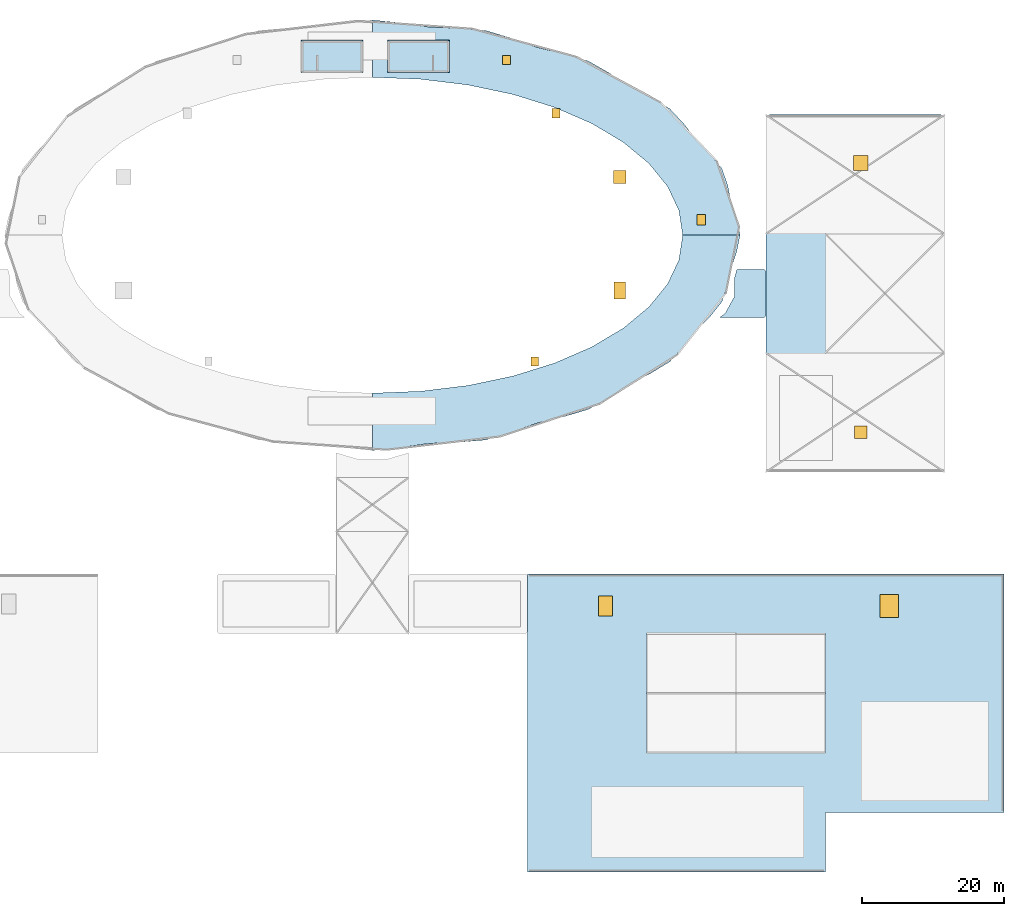
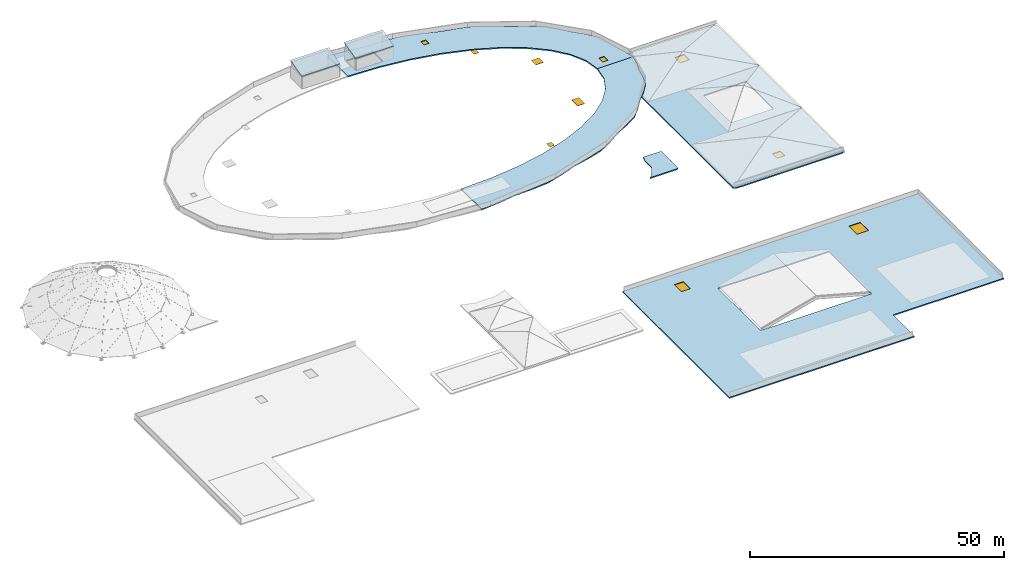
"""IFC4 building model written with IfcOpenShell, lengths in metres."""

from ifc_helpers import new_model, si_unit, direction, frame, origin, origin_2d, place, context, subcontext, project, spatial, polyline, rectangle, outline, extrude, material, layer, layer_set, type_object, element, fill, save


model = new_model("IFC4")

# Units and contexts
model_context = context("Model", 3, precision=1e-05, world=origin(), true_north=direction((0.0, 1.0)))
body_context = subcontext(model_context, "Body", "Model", "MODEL_VIEW")
ifc_project = project(units=[si_unit("LENGTHUNIT", "METRE"), si_unit("AREAUNIT", "SQUARE_METRE"), si_unit("VOLUMEUNIT", "CUBIC_METRE"), si_unit("PLANEANGLEUNIT", "RADIAN"), si_unit("MASSUNIT", "GRAM", prefix="KILO"), si_unit("THERMODYNAMICTEMPERATUREUNIT", "KELVIN"), si_unit("POWERUNIT", "WATT")], contexts=[model_context])

# Site, building, storey
site_placement = place(None, origin())
site = spatial("IfcSite", under=ifc_project, at=site_placement, CompositionType="ELEMENT")
building_placement = place(site_placement, origin())
building = spatial("IfcBuilding", under=site, at=building_placement, Name="Darbajah Civic Hall", CompositionType="ELEMENT")
storey_1_placement = place(building_placement, frame((0.0, 0.0, 30.60009765625)))
storey_1 = spatial("IfcBuildingStorey", under=building, at=storey_1_placement, Name="ROOF", CompositionType="ELEMENT", Elevation=30.60009765625)

# Slabs
ifc_material_1 = material(Name="Concrete C45/55", Category="concrete")
ifc_layer_1 = layer(ifc_material_1, 0.280029296875, Name="Concrete C45/55")
ifc_layer_set_1 = layer_set([ifc_layer_1], Name="Concrete C45/55")
slab_type_1 = type_object("IfcSlabType", Name="Chhatri Headhouse Roof Slab 280mm", PredefinedType="ROOF", material=ifc_layer_set_1)
for number, where, z_axis, x_axis, name in (
    (1, (79.050048828125, 112.75, 3.099853515625), (0.0, -0.241544495899, 0.970389744639), (1.0, 0.0, 0.0), "ROOF stair ST01 sloped chhatri roof slab"),
    (2, (91.25, 112.75, 3.099853515625), (0.0, -0.241544495899, 0.970389744639), (1.0, 0.0, 0.0), "ROOF stair ST02 sloped chhatri roof slab"),
):
    element("IfcSlab", number, at=place(storey_1_placement, frame(where, z_axis=z_axis, x_axis=x_axis)), inside=storey_1, type_object=slab_type_1, Name=name, PredefinedType="ROOF", context=body_context, shape_type="SweptSolid", body=[
        extrude(outline(polyline([(0.0, 0.0), (8.699951171875, 0.0), (8.699951171875, 4.637311992278815), (0.0, 4.637311992278815), (0.0, 0.0)])), origin(), (0.0, 0.0, -1.0), 0.280029296875),
    ])

# Slab, openings
ifc_layer_2 = layer(ifc_material_1, 0.27001953125, Name="Concrete C45/55")
ifc_layer_set_2 = layer_set([ifc_layer_2], Name="Concrete C45/55")
slab_type_2 = type_object("IfcSlabType", Name="Library Roof Slab 270mm", PredefinedType="ROOF", material=ifc_layer_set_2)
slab_1_placement = place(storey_1_placement, frame((0.0, 0.0, -12.8701171875)))
slab_1 = element("IfcSlab", 3, at=slab_1_placement, inside=storey_1, type_object=slab_type_2, Name="Members Library perimeter roof slab", PredefinedType="ROOF", context=body_context, shape_type="SweptSolid", body=[
    extrude(outline(polyline([(145.10009765625, 56.39990234375), (169.300048828125, 56.39990234375), (169.800048828125, 56.89990234375), (169.800048828125, 106.300048828125), (169.300048828125, 106.800048828125), (145.10009765625, 106.800048828125), (144.60009765625, 106.300048828125), (144.60009765625, 56.89990234375), (145.10009765625, 56.39990234375)]), holes=[polyline([(155.39990234375, 87.0), (165.0, 87.0), (165.0, 76.199951171875), (155.39990234375, 76.199951171875), (155.39990234375, 87.0)])]), origin(), (0.0, 0.0, 1.0), 0.27001953125),
])
opening_1_placement = place(slab_1_placement, frame((158.0, 62.0, 0.0)))
opening_1 = element("IfcOpeningElement", 4, at=opening_1_placement, cuts=slab_1, Name="Opening SK-01", PredefinedType="OPENING", context=body_context, shape_type="SweptSolid", body=[
    extrude(rectangle(XDim=1.800048828125, YDim=1.800048828125, at=origin_2d()), frame((0.0, 0.0, -0.010009765625)), (0.0, 0.0, 1.0), 0.2900390625),
])
opening_2_placement = place(slab_1_placement, frame((158.0, 100.0, 0.0)))
opening_2 = element("IfcOpeningElement", 5, at=opening_2_placement, cuts=slab_1, Name="Opening SK-02", PredefinedType="OPENING", context=body_context, shape_type="SweptSolid", body=[
    extrude(rectangle(XDim=2.10009765625, YDim=2.10009765625, at=origin_2d()), frame((0.0, 0.0, -0.010009765625)), (0.0, 0.0, 1.0), 0.2900390625),
])

# Storey
storey_2_placement = place(building_placement, frame((0.0, 0.0, 13.800048828125)))
storey_2 = spatial("IfcBuildingStorey", under=building, at=storey_2_placement, Name="L03", CompositionType="ELEMENT", Elevation=13.800048828125)

# Window
ifc_material_2 = material(Name="Low-E Laminated Solar Skylight Glazing", Category="glass")
window_type_1 = type_object("IfcWindowType", Name="Roof Skylight 1800x1800", PartitioningType="SINGLE_PANEL", PredefinedType="SKYLIGHT", material=ifc_material_2)
window_1_placement = place(opening_1_placement, frame((0.0, 0.0, 0.10986328125)))
window_1 = element("IfcWindow", 6, at=window_1_placement, inside=storey_2, type_object=window_type_1, Name="L03 clerestory skylight SK-01", OverallHeight=1.800048828125, OverallWidth=1.800048828125, PartitioningType="SINGLE_PANEL", PredefinedType="SKYLIGHT", context=body_context, shape_type="SweptSolid", body=[
    extrude(rectangle(XDim=1.800048828125, YDim=1.800048828125, at=origin_2d()), origin(), (0.0, 0.0, 1.0), 0.050048828125),
])

fill(opening_1, window_1)

window_type_2 = type_object("IfcWindowType", Name="Roof Skylight 2100x2100", PartitioningType="SINGLE_PANEL", PredefinedType="SKYLIGHT", material=ifc_material_2)
window_2_placement = place(opening_2_placement, frame((0.0, 0.0, 0.10986328125)))
window_2 = element("IfcWindow", 7, at=window_2_placement, inside=storey_2, type_object=window_type_2, Name="L03 clerestory skylight SK-02", OverallHeight=2.10009765625, OverallWidth=2.10009765625, PartitioningType="SINGLE_PANEL", PredefinedType="SKYLIGHT", context=body_context, shape_type="SweptSolid", body=[
    extrude(rectangle(XDim=2.10009765625, YDim=2.10009765625, at=origin_2d()), origin(), (0.0, 0.0, 1.0), 0.050048828125),
])

fill(opening_2, window_2)

# Slab
ifc_layer_3 = layer(ifc_material_1, 0.27001953125, Name="Concrete C45/55")
ifc_layer_set_3 = layer_set([ifc_layer_3], Name="Concrete C45/55")
slab_type_3 = type_object("IfcSlabType", Name="Link Walk Roof Slab 270mm", PredefinedType="ROOF", material=ifc_layer_set_3)
slab_2_placement = place(storey_1_placement, frame((0.0, 0.0, -21.27001953125)))
element("IfcSlab", 8, at=slab_2_placement, inside=storey_1, type_object=slab_type_3, Name="ROOF Screened Link Walk E roof slab", PredefinedType="ROOF", context=body_context, shape_type="SweptSolid", body=[
    extrude(outline(polyline([(144.35009765625, 85.0), (144.60009765625, 84.75), (144.60009765625, 78.449951171875), (144.35009765625, 78.199951171875), (138.10009765625, 78.199951171875), (138.8193359375, 78.736572265625), (138.84228515625, 78.755615234375), (138.86328125, 78.777099609375), (138.881591796875, 78.80078125), (138.8974609375, 78.826416015625), (140.178955078125, 81.164794921875), (140.191162109375, 81.190185546875), (140.200927734375, 81.216796875), (140.2080078125, 81.244140625), (140.2119140625, 81.27197265625), (140.21337890625, 81.300048828125), (140.2080078125, 83.847412109375), (140.52001953125, 85.0), (144.35009765625, 85.0)])), origin(), (0.0, 0.0, 1.0), 0.27001953125),
])

# Slab, openings, doors
ifc_layer_4 = layer(ifc_material_1, 0.280029296875, Name="Concrete C45/55")
ifc_layer_set_4 = layer_set([ifc_layer_4], Name="Concrete C45/55")
slab_type_4 = type_object("IfcSlabType", Name="Oval Ring Roof Slab 280mm", PredefinedType="ROOF", material=ifc_layer_set_4)
slab_3_placement = place(storey_1_placement, frame((0.0, 0.0, -0.280029296875)))
slab_3 = element("IfcSlab", 9, at=slab_3_placement, inside=storey_1, type_object=slab_type_4, Name="ROOF Oval Administration Ring NE roof slab", PredefinedType="ROOF", context=body_context, shape_type="SweptSolid", body=[
    extrude(outline(polyline([(140.9619140625, 89.800048828125), (140.4912109375, 92.15771484375), (139.707275390625, 94.451904296875), (139.2255859375, 96.81494140625), (138.423583984375, 99.182373046875), (136.72607421875, 101.299560546875), (134.75341796875, 103.30078125), (133.0537109375, 105.501220703125), (131.05712890625, 107.646240234375), (128.298828125, 109.31591796875), (125.330810546875, 110.827880859375), (122.5791015625, 112.650146484375), (119.583740234375, 114.36328125), (116.034912109375, 115.421875), (112.361572265625, 116.296875), (108.827392578125, 117.5625), (105.126220703125, 118.676025390625), (101.134033203125, 119.019775390625), (97.115478515625, 119.171875), (93.14453125, 119.75732421875), (89.10009765625, 120.162109375), (89.10009765625, 112.080078125), (95.94873046875, 111.8056640625), (102.62890625, 110.989501953125), (108.9755859375, 109.651611328125), (114.833251953125, 107.824951171875), (120.05712890625, 105.55419921875), (124.518798828125, 102.89599609375), (128.1083984375, 99.914794921875), (130.7373046875, 96.684814453125), (132.341064453125, 93.285400390625), (132.8798828125, 89.800048828125), (140.9619140625, 89.800048828125)]), holes=[polyline([(91.5400390625, 116.8798828125), (97.6201171875, 116.8798828125), (97.6201171875, 113.1201171875), (91.5400390625, 113.1201171875), (91.5400390625, 116.8798828125)])]), origin(), (0.0, 0.0, 1.0), 0.280029296875),
])
opening_3_placement = place(slab_3_placement, frame((115.0, 107.0, 0.0)))
opening_3 = element("IfcOpeningElement", 10, at=opening_3_placement, cuts=slab_3, Name="Opening RH-021", PredefinedType="OPENING", context=body_context, shape_type="SweptSolid", body=[
    extrude(rectangle(XDim=1.10009765625, YDim=1.300048828125, at=origin_2d()), frame((0.0, 0.0, -0.010009765625)), (0.0, 0.0, 1.0), 0.300048828125),
])
opening_4_placement = place(slab_3_placement, frame((108.0, 114.5, 0.0)))
opening_4 = element("IfcOpeningElement", 11, at=opening_4_placement, cuts=slab_3, Name="Opening RH-024", PredefinedType="OPENING", context=body_context, shape_type="SweptSolid", body=[
    extrude(rectangle(XDim=1.10009765625, YDim=1.300048828125, at=origin_2d()), frame((0.0, 0.0, -0.010009765625)), (0.0, 0.0, 1.0), 0.300048828125),
])
opening_5_placement = place(slab_3_placement, frame((135.5, 92.0, 0.0)))
opening_5 = element("IfcOpeningElement", 12, at=opening_5_placement, cuts=slab_3, Name="Opening RH-027", PredefinedType="OPENING", context=body_context, shape_type="SweptSolid", body=[
    extrude(rectangle(XDim=1.199951171875, YDim=1.5, at=origin_2d()), frame((0.0, 0.0, -0.010009765625)), (0.0, 0.0, 1.0), 0.300048828125),
])
opening_6_placement = place(slab_3_placement, frame((124.0, 98.0, 0.0)))
opening_6 = element("IfcOpeningElement", 13, at=opening_6_placement, cuts=slab_3, Name="Opening SK-01", PredefinedType="OPENING", context=body_context, shape_type="SweptSolid", body=[
    extrude(rectangle(XDim=1.800048828125, YDim=1.800048828125, at=origin_2d()), frame((0.0, 0.0, -0.010009765625)), (0.0, 0.0, 1.0), 0.300048828125),
])
ifc_material_3 = material(Name="Galvanised Insulated Steel", Category="steel")
door_type_1 = type_object("IfcDoorType", Name="Exterior Trapdoor 1100x1300", OperationType="NOTDEFINED", PredefinedType="TRAPDOOR", material=ifc_material_3)
door_1_placement = place(opening_3_placement, frame((0.0, 0.0, 0.114990234375)))
door_1 = element("IfcDoor", 14, at=door_1_placement, inside=storey_1, type_object=door_type_1, Name="Roof maintenance access trapdoor RH-021", OperationType="SINGLE_SWING_LEFT", OverallHeight=1.300048828125, OverallWidth=1.10009765625, PredefinedType="TRAPDOOR", context=body_context, shape_type="SweptSolid", body=[
    extrude(rectangle(XDim=1.10009765625, YDim=1.300048828125, at=origin_2d()), origin(), (0.0, 0.0, 1.0), 0.050048828125),
])
fill(opening_3, door_1)
door_2_placement = place(opening_4_placement, frame((0.0, 0.0, 0.114990234375)))
door_2 = element("IfcDoor", 15, at=door_2_placement, inside=storey_1, type_object=door_type_1, Name="Roof maintenance access trapdoor RH-024", OperationType="SINGLE_SWING_LEFT", OverallHeight=1.300048828125, OverallWidth=1.10009765625, PredefinedType="TRAPDOOR", context=body_context, shape_type="SweptSolid", body=[
    extrude(rectangle(XDim=1.10009765625, YDim=1.300048828125, at=origin_2d()), origin(), (0.0, 0.0, 1.0), 0.050048828125),
])
fill(opening_4, door_2)
door_type_2 = type_object("IfcDoorType", Name="Exterior Trapdoor 1200x1500", OperationType="NOTDEFINED", PredefinedType="TRAPDOOR", material=ifc_material_3)
door_3_placement = place(opening_5_placement, frame((0.0, 0.0, 0.114990234375)))
door_3 = element("IfcDoor", 16, at=door_3_placement, inside=storey_1, type_object=door_type_2, Name="Roof maintenance access trapdoor RH-027", OperationType="SINGLE_SWING_LEFT", OverallHeight=1.5, OverallWidth=1.199951171875, PredefinedType="TRAPDOOR", context=body_context, shape_type="SweptSolid", body=[
    extrude(rectangle(XDim=1.199951171875, YDim=1.5, at=origin_2d()), origin(), (0.0, 0.0, 1.0), 0.050048828125),
])
fill(opening_5, door_3)

# Storey
storey_3_placement = place(building_placement, frame((0.0, 0.0, 26.39990234375)))
storey_3 = spatial("IfcBuildingStorey", under=building, at=storey_3_placement, Name="L06", CompositionType="ELEMENT", Elevation=26.39990234375)

# Window
window_3_placement = place(opening_6_placement, frame((0.0, 0.0, 0.114990234375)))
window_3 = element("IfcWindow", 17, at=window_3_placement, inside=storey_3, type_object=window_type_1, Name="L06 clerestory skylight SK-01", OverallHeight=1.800048828125, OverallWidth=1.800048828125, PartitioningType="SINGLE_PANEL", PredefinedType="SKYLIGHT", context=body_context, shape_type="SweptSolid", body=[
    extrude(rectangle(XDim=1.800048828125, YDim=1.800048828125, at=origin_2d()), origin(), (0.0, 0.0, 1.0), 0.050048828125),
])

fill(opening_6, window_3)

# Slab, openings, door, window
slab_4_placement = place(storey_1_placement, frame((0.0, 0.0, -0.280029296875)))
slab_4 = element("IfcSlab", 18, at=slab_4_placement, inside=storey_1, type_object=slab_type_4, Name="ROOF Oval Administration Ring SE roof slab", PredefinedType="ROOF", context=body_context, shape_type="SweptSolid", body=[
    extrude(outline(polyline([(89.10009765625, 59.43798828125), (93.14453125, 59.842529296875), (97.115478515625, 60.427978515625), (101.134033203125, 60.580322265625), (105.126220703125, 60.924072265625), (108.827392578125, 62.037353515625), (112.361572265625, 63.30322265625), (116.034912109375, 64.17822265625), (119.583740234375, 65.236572265625), (122.5791015625, 66.94970703125), (125.330810546875, 68.772216796875), (128.298828125, 70.2841796875), (131.05712890625, 71.95361328125), (133.0537109375, 74.098876953125), (134.75341796875, 76.29931640625), (136.72607421875, 78.30029296875), (138.423583984375, 80.41748046875), (139.2255859375, 82.784912109375), (139.707275390625, 85.14794921875), (140.4912109375, 87.4423828125), (140.9619140625, 89.800048828125), (132.8798828125, 89.800048828125), (132.341064453125, 86.314697265625), (130.7373046875, 82.9150390625), (128.1083984375, 79.68505859375), (124.518798828125, 76.7041015625), (120.05712890625, 74.045654296875), (114.833251953125, 71.775146484375), (108.9755859375, 69.948486328125), (102.62890625, 68.610595703125), (95.94873046875, 67.794189453125), (89.10009765625, 67.52001953125), (89.10009765625, 59.43798828125)])), origin(), (0.0, 0.0, 1.0), 0.280029296875),
])
opening_7_placement = place(slab_4_placement, frame((112.0, 72.0, 0.0)))
opening_7 = element("IfcOpeningElement", 19, at=opening_7_placement, cuts=slab_4, Name="Opening RH-026", PredefinedType="OPENING", context=body_context, shape_type="SweptSolid", body=[
    extrude(rectangle(XDim=1.10009765625, YDim=1.300048828125, at=origin_2d()), frame((0.0, 0.0, -0.010009765625)), (0.0, 0.0, 1.0), 0.300048828125),
])
opening_8_placement = place(slab_4_placement, frame((124.0, 82.0, 0.0)))
opening_8 = element("IfcOpeningElement", 20, at=opening_8_placement, cuts=slab_4, Name="Opening SK-04", PredefinedType="OPENING", context=body_context, shape_type="SweptSolid", body=[
    extrude(rectangle(XDim=1.60009765625, YDim=2.39990234375, at=origin_2d()), frame((0.0, 0.0, -0.010009765625)), (0.0, 0.0, 1.0), 0.300048828125),
])
door_4_placement = place(opening_7_placement, frame((0.0, 0.0, 0.114990234375)))
door_4 = element("IfcDoor", 21, at=door_4_placement, inside=storey_1, type_object=door_type_1, Name="Roof maintenance access trapdoor RH-026", OperationType="SINGLE_SWING_LEFT", OverallHeight=1.300048828125, OverallWidth=1.10009765625, PredefinedType="TRAPDOOR", context=body_context, shape_type="SweptSolid", body=[
    extrude(rectangle(XDim=1.10009765625, YDim=1.300048828125, at=origin_2d()), origin(), (0.0, 0.0, 1.0), 0.050048828125),
])
fill(opening_7, door_4)
window_type_3 = type_object("IfcWindowType", Name="Roof Skylight 1600x2400", PartitioningType="SINGLE_PANEL", PredefinedType="SKYLIGHT", material=ifc_material_2)
window_4_placement = place(opening_8_placement, frame((0.0, 0.0, 0.114990234375)))
window_4 = element("IfcWindow", 22, at=window_4_placement, inside=storey_3, type_object=window_type_3, Name="L06 clerestory skylight SK-04", OverallHeight=2.39990234375, OverallWidth=1.60009765625, PartitioningType="SINGLE_PANEL", PredefinedType="SKYLIGHT", context=body_context, shape_type="SweptSolid", body=[
    extrude(rectangle(XDim=1.60009765625, YDim=2.39990234375, at=origin_2d()), origin(), (0.0, 0.0, 1.0), 0.050048828125),
])
fill(opening_8, window_4)

# Slab, openings
ifc_layer_5 = layer(ifc_material_1, 0.280029296875, Name="Concrete C45/55")
ifc_layer_set_5 = layer_set([ifc_layer_5], Name="Concrete C45/55")
slab_type_5 = type_object("IfcSlabType", Name="Public Hall Roof Slab 280mm", PredefinedType="ROOF", material=ifc_layer_set_5)
slab_5_placement = place(storey_1_placement, frame((0.0, 0.0, -17.080078125)))
slab_5 = element("IfcSlab", 23, at=slab_5_placement, inside=storey_1, type_object=slab_type_5, Name="Public Hall wing perimeter roof slab", PredefinedType="ROOF", context=body_context, shape_type="SweptSolid", body=[
    extrude(outline(polyline([(111.0, 0.0), (153.0, 0.0), (153.0, 8.39990234375), (178.199951171875, 8.39990234375), (178.199951171875, 42.0), (111.0, 42.0), (111.0, 0.0)]), holes=[polyline([(127.800048828125, 33.60009765625), (153.0, 33.60009765625), (153.0, 16.800048828125), (127.800048828125, 16.800048828125), (127.800048828125, 33.60009765625)])]), origin(), (0.0, 0.0, 1.0), 0.280029296875),
])
opening_9_placement = place(slab_5_placement, frame((122.0, 37.5, 0.0)))
opening_9 = element("IfcOpeningElement", 24, at=opening_9_placement, cuts=slab_5, Name="Opening SK-05", PredefinedType="OPENING", context=body_context, shape_type="SweptSolid", body=[
    extrude(rectangle(XDim=2.0, YDim=2.800048828125, at=origin_2d()), frame((0.0, 0.0, -0.010009765625)), (0.0, 0.0, 1.0), 0.300048828125),
])
opening_10_placement = place(slab_5_placement, frame((162.0, 37.5, 0.0)))
opening_10 = element("IfcOpeningElement", 25, at=opening_10_placement, cuts=slab_5, Name="Opening SK-06", PredefinedType="OPENING", context=body_context, shape_type="SweptSolid", body=[
    extrude(rectangle(XDim=2.60009765625, YDim=3.199951171875, at=origin_2d()), frame((0.0, 0.0, -0.010009765625)), (0.0, 0.0, 1.0), 0.300048828125),
])

# Storey
storey_4_placement = place(building_placement, frame((0.0, 0.0, 9.60009765625)))
storey_4 = spatial("IfcBuildingStorey", under=building, at=storey_4_placement, Name="L02", CompositionType="ELEMENT", Elevation=9.60009765625)

# Window
window_type_4 = type_object("IfcWindowType", Name="Roof Skylight 2000x2800", PartitioningType="SINGLE_PANEL", PredefinedType="SKYLIGHT", material=ifc_material_2)
window_5_placement = place(opening_9_placement, frame((0.0, 0.0, 0.114990234375)))
window_5 = element("IfcWindow", 26, at=window_5_placement, inside=storey_4, type_object=window_type_4, Name="L02 clerestory skylight SK-05", OverallHeight=2.800048828125, OverallWidth=2.0, PartitioningType="SINGLE_PANEL", PredefinedType="SKYLIGHT", context=body_context, shape_type="SweptSolid", body=[
    extrude(rectangle(XDim=2.0, YDim=2.800048828125, at=origin_2d()), origin(), (0.0, 0.0, 1.0), 0.050048828125),
])

fill(opening_9, window_5)

window_type_5 = type_object("IfcWindowType", Name="Roof Skylight 2600x3200", PartitioningType="SINGLE_PANEL", PredefinedType="SKYLIGHT", material=ifc_material_2)
window_6_placement = place(opening_10_placement, frame((0.0, 0.0, 0.114990234375)))
window_6 = element("IfcWindow", 27, at=window_6_placement, inside=storey_4, type_object=window_type_5, Name="L02 clerestory skylight SK-06", OverallHeight=3.199951171875, OverallWidth=2.60009765625, PartitioningType="SINGLE_PANEL", PredefinedType="SKYLIGHT", context=body_context, shape_type="SweptSolid", body=[
    extrude(rectangle(XDim=2.60009765625, YDim=3.199951171875, at=origin_2d()), origin(), (0.0, 0.0, 1.0), 0.050048828125),
])

fill(opening_10, window_6)

save(model, "model.ifc")
